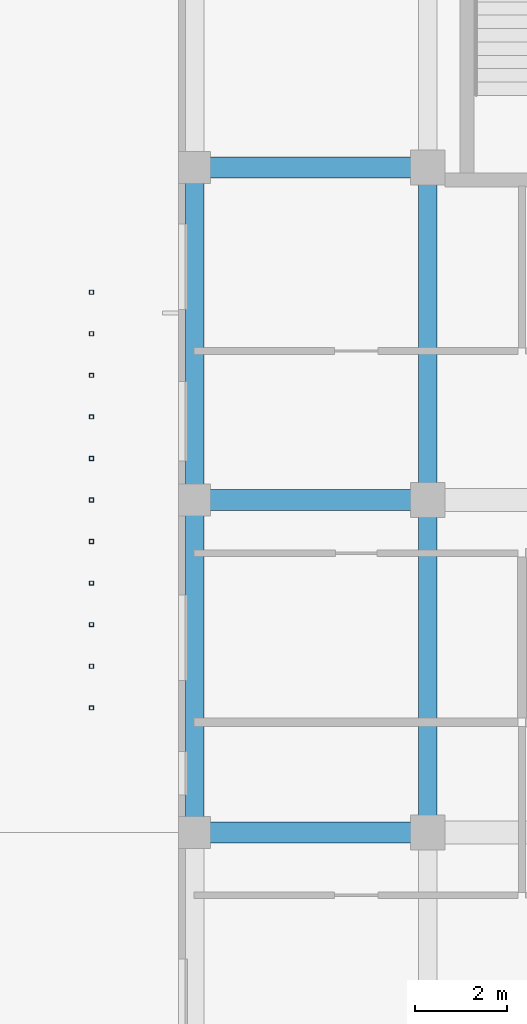
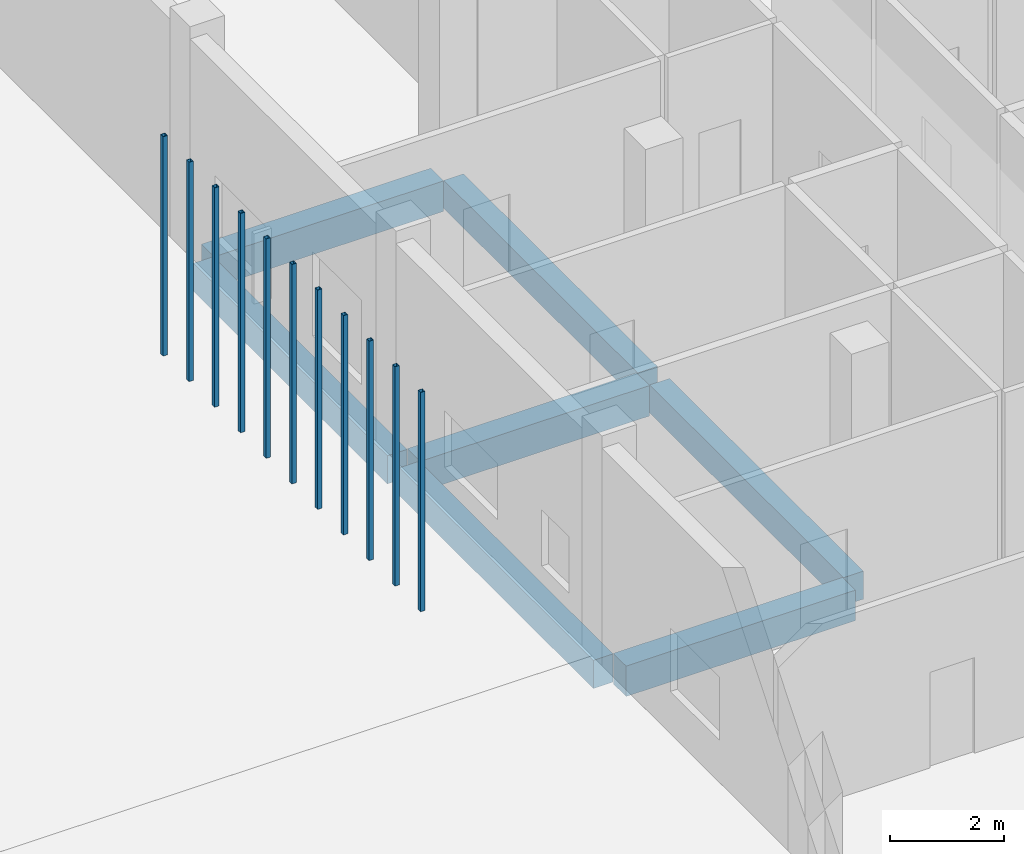
# One storey, part 28 of 85: 11 members, 7 beams.
"""IFC4 building model written with IfcOpenShell, lengths in metres."""

from ifc_helpers import new_model, si_unit, derived_unit, direction, frame, origin, origin_2d, place, context, subcontext, project, spatial, rectangle, hollow_rectangle, extrude, material, material_profile, profile_set, type_object, element, save


model = new_model("IFC4")

# Units and contexts
model_context = context("Model", 3, precision=1e-05, world=origin(), true_north=direction((0.0, 1.0)))
body_context = subcontext(model_context, "Body", "Model", "MODEL_VIEW")
ifc_project = project(units=[si_unit("LENGTHUNIT", "METRE"), si_unit("AREAUNIT", "SQUARE_METRE"), si_unit("VOLUMEUNIT", "CUBIC_METRE"), si_unit("PLANEANGLEUNIT", "RADIAN"), si_unit("MASSUNIT", "GRAM", prefix="KILO"), derived_unit("THERMALTRANSMITTANCEUNIT", [(si_unit("MASSUNIT", "GRAM", prefix="KILO"), 1), (si_unit("TIMEUNIT", "SECOND"), -3), (si_unit("THERMODYNAMICTEMPERATUREUNIT", "KELVIN"), -1)])], contexts=[model_context])

# Site, building, storey
site_placement = place(None, origin())
site = spatial("IfcSite", under=ifc_project, at=site_placement, CompositionType="ELEMENT")
building_placement = place(site_placement, origin())
building = spatial("IfcBuilding", under=site, at=building_placement, Name="Ochrekiln Boulevard Commons", CompositionType="ELEMENT")
storey_placement = place(building_placement, origin())
storey = spatial("IfcBuildingStorey", under=building, at=storey_placement, Name="L00", CompositionType="ELEMENT", Elevation=0.0)

# Beams
ifc_material_1 = material(Name="Concrete C35/45", Category="concrete")
ifc_material_profile_1 = material_profile(ifc_material_1, rectangle(XDim=0.39990234375, YDim=0.60009765625, at=origin_2d()), Name="RC-BM-400x600")
ifc_profile_set_1 = profile_set([ifc_material_profile_1], Name="Concrete C35/45")
beam_type_1 = type_object("IfcBeamType", Name="BM-RC-400x600", PredefinedType="BEAM", material=ifc_profile_set_1)
beam_1_placement = place(storey_placement, frame((151.550048828125, 97.409912109375, -0.580078125), z_axis=(0.0, 1.0, 0.0), x_axis=(-1.0, 0.0, 0.0)))
element("IfcBeam", 1, at=beam_1_placement, inside=storey, type_object=beam_type_1, Name="Block B L00 Beam B-4060 Y27", PredefinedType="BEAM", context=body_context, shape_type="SweptSolid", body=[
    extrude(rectangle(XDim=0.39990234375, YDim=0.60009765625, at=origin_2d()), origin(), (0.0, 0.0, 1.0), 6.780029296875),
])
beam_2_placement = place(storey_placement, frame((151.550048828125, 104.610107421875, -0.580078125), z_axis=(0.0, 1.0, 0.0), x_axis=(-1.0, 0.0, 0.0)))
element("IfcBeam", 2, at=beam_2_placement, inside=storey, type_object=beam_type_1, Name="Block B L00 Beam B-4060 Y28", PredefinedType="BEAM", context=body_context, shape_type="SweptSolid", body=[
    extrude(rectangle(XDim=0.39990234375, YDim=0.60009765625, at=origin_2d()), origin(), (0.0, 0.0, 1.0), 6.77978515625),
])
beam_3_placement = place(storey_placement, frame((156.60009765625, 97.409912109375, -0.580078125), z_axis=(0.0, 1.0, 0.0), x_axis=(-1.0, 0.0, 0.0)))
element("IfcBeam", 3, at=beam_3_placement, inside=storey, type_object=beam_type_1, Name="Block B L00 Beam B-4060 Y34", PredefinedType="BEAM", context=body_context, shape_type="SweptSolid", body=[
    extrude(rectangle(XDim=0.39990234375, YDim=0.60009765625, at=origin_2d()), origin(), (0.0, 0.0, 1.0), 6.780029296875),
])
beam_4_placement = place(storey_placement, frame((156.60009765625, 104.610107421875, -0.580078125), z_axis=(0.0, 1.0, 0.0), x_axis=(-1.0, 0.0, 0.0)))
element("IfcBeam", 4, at=beam_4_placement, inside=storey, type_object=beam_type_1, Name="Block B L00 Beam B-4060 Y35", PredefinedType="BEAM", context=body_context, shape_type="SweptSolid", body=[
    extrude(rectangle(XDim=0.39990234375, YDim=0.60009765625, at=origin_2d()), origin(), (0.0, 0.0, 1.0), 6.77978515625),
])
ifc_material_profile_2 = material_profile(ifc_material_1, rectangle(XDim=0.449951171875, YDim=0.64990234375, at=origin_2d()), Name="RC-BM-450x650")
ifc_profile_set_2 = profile_set([ifc_material_profile_2], Name="Concrete C35/45")
beam_type_2 = type_object("IfcBeamType", Name="BM-RC-450x650", PredefinedType="BEAM", material=ifc_profile_set_2)
for number, where, z_axis, x_axis, name in (
    (5, (151.760009765625, 97.199951171875, -0.60498046875), (1.0, 0.0, 0.0), (0.0, 1.0, 0.0), "Block B L00 Beam B-4565 X12"),
    (6, (151.760009765625, 104.39990234375, -0.60498046875), (1.0, 0.0, 0.0), (0.0, 1.0, 0.0), "Block B L00 Beam B-4565 X15"),
    (7, (151.760009765625, 111.60009765625, -0.60498046875), (1.0, 0.0, 0.0), (0.0, 1.0, 0.0), "Block B L00 Beam B-4565 X18"),
):
    element("IfcBeam", number, at=place(storey_placement, frame(where, z_axis=z_axis, x_axis=x_axis)), inside=storey, type_object=beam_type_2, Name=name, PredefinedType="BEAM", context=body_context, shape_type="SweptSolid", body=[
        extrude(rectangle(XDim=0.449951171875, YDim=0.64990234375, at=origin_2d()), origin(), (0.0, 0.0, 1.0), 4.6298828125),
    ])

# Members
ifc_material_2 = material(Name="Steel A500 Grade C", Category="steel")
ifc_material_profile_3 = material_profile(ifc_material_2, hollow_rectangle(XDim=0.090087890625, YDim=0.090087890625, WallThickness=0.00634765625, at=origin_2d()), Name="HSS90X90X6.4")
ifc_profile_set_3 = profile_set([ifc_material_profile_3], Name="Steel A500 Grade C")
member_type = type_object("IfcMemberType", Name="MEM-PST-HSS90", PredefinedType="POST", material=ifc_profile_set_3)
for number, where, z_axis, x_axis, name in (
    (8, (149.320068359375, 99.89990234375, 0.0), (0.0, 0.0, 1.0), (1.0, 0.0, 0.0), "Block B L00 Slim Vertical Balcony Post (155)"),
    (9, (149.320068359375, 100.800048828125, 0.0), (0.0, 0.0, 1.0), (1.0, 0.0, 0.0), "Block B L00 Slim Vertical Balcony Post (156)"),
    (10, (149.320068359375, 101.699951171875, 0.0), (0.0, 0.0, 1.0), (1.0, 0.0, 0.0), "Block B L00 Slim Vertical Balcony Post (157)"),
    (11, (149.320068359375, 102.60009765625, 0.0), (0.0, 0.0, 1.0), (1.0, 0.0, 0.0), "Block B L00 Slim Vertical Balcony Post (158)"),
    (12, (149.320068359375, 103.5, 0.0), (0.0, 0.0, 1.0), (1.0, 0.0, 0.0), "Block B L00 Slim Vertical Balcony Post (159)"),
    (13, (149.320068359375, 104.39990234375, 0.0), (0.0, 0.0, 1.0), (1.0, 0.0, 0.0), "Block B L00 Slim Vertical Balcony Post (160)"),
    (14, (149.320068359375, 105.300048828125, 0.0), (0.0, 0.0, 1.0), (1.0, 0.0, 0.0), "Block B L00 Slim Vertical Balcony Post (161)"),
    (15, (149.320068359375, 106.199951171875, 0.0), (0.0, 0.0, 1.0), (1.0, 0.0, 0.0), "Block B L00 Slim Vertical Balcony Post (162)"),
    (16, (149.320068359375, 107.10009765625, 0.0), (0.0, 0.0, 1.0), (1.0, 0.0, 0.0), "Block B L00 Slim Vertical Balcony Post (163)"),
    (17, (149.320068359375, 108.0, 0.0), (0.0, 0.0, 1.0), (1.0, 0.0, 0.0), "Block B L00 Slim Vertical Balcony Post (164)"),
    (18, (149.320068359375, 108.89990234375, 0.0), (0.0, 0.0, 1.0), (1.0, 0.0, 0.0), "Block B L00 Slim Vertical Balcony Post (165)"),
):
    element("IfcMember", number, at=place(storey_placement, frame(where, z_axis=z_axis, x_axis=x_axis)), inside=storey, type_object=member_type, Name=name, PredefinedType="POST", context=body_context, shape_type="SweptSolid", body=[
        extrude(hollow_rectangle(XDim=0.090087890625, YDim=0.090087890625, WallThickness=0.00634765625, at=origin_2d()), origin(), (0.0, 0.0, 1.0), 4.679931640625),
    ])

save(model, "model.ifc")
